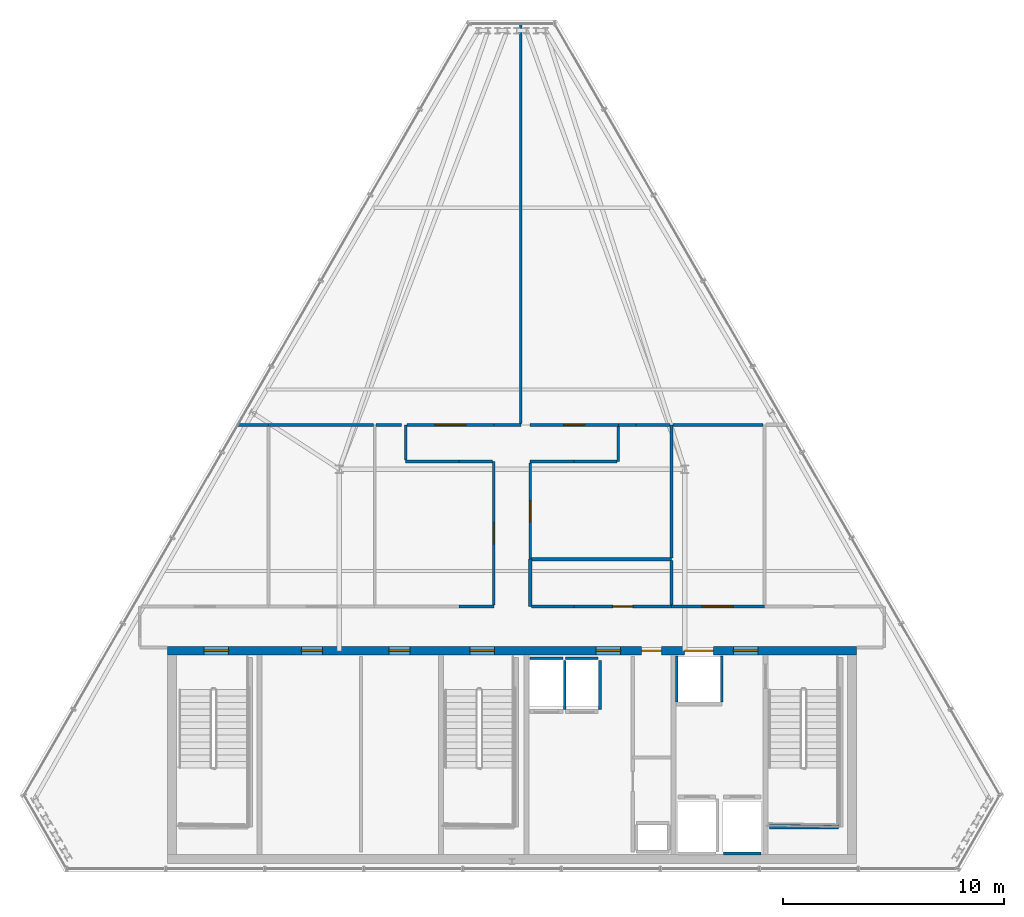
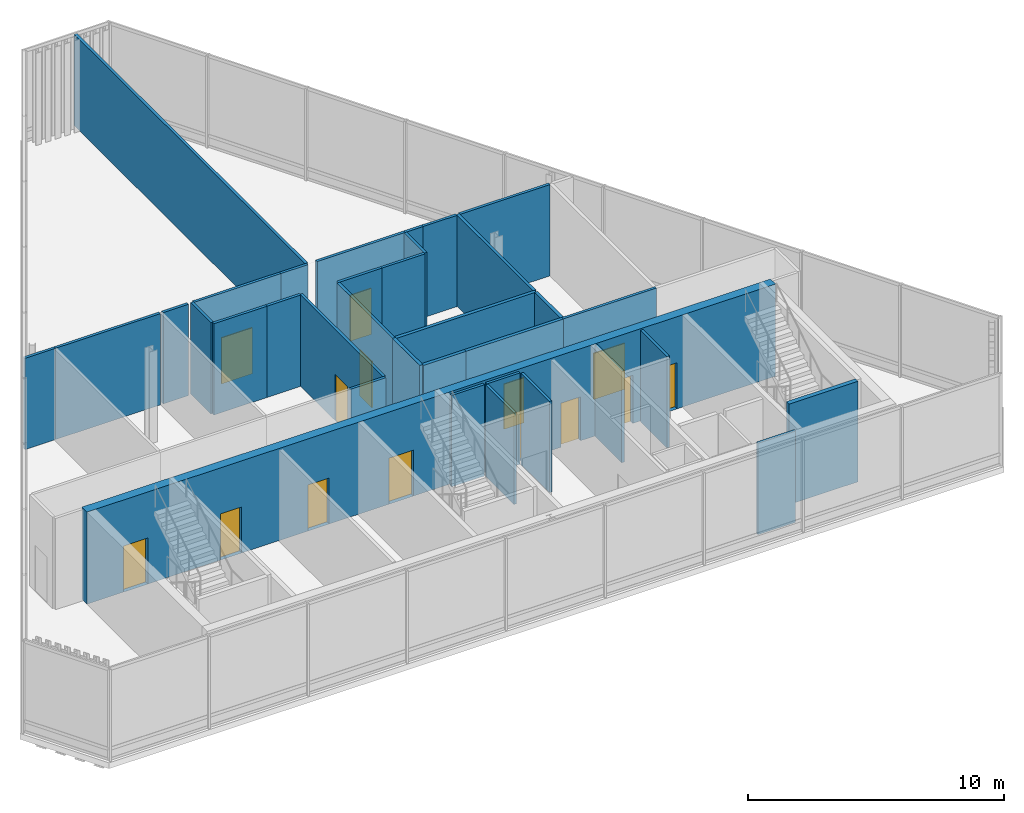
# One storey, part 21 of 25: 35 walls, 14 doors, 14 openings.
"""IFC4 building model written with IfcOpenShell, lengths in metres."""

import ifcopenshell
import ifcopenshell.guid

model = None  # the IFC model being written
_history = None  # IfcOwnerHistory: only IFC2X3 demands one
_inside = {}  # id of a spatial element -> (the spatial element, [elements in it])
_under = {}  # id of a project, library or spatial element -> (it, [spatial elements below it])
_declared = {}  # id of a project -> (the project, [libraries it declares])
_typed = {}  # id of a type object -> (the type object, [elements of that type])
_made_of = {}  # id of a material, layer set ... -> (it, [elements and type objects made of it])


def new_model(schema):
    """Start an empty IFC model of exactly this schema.

    Asked for "IFC4X3", IfcOpenShell would pick the latest addendum, in which some entities
    have other attributes; the version numbers below select the first issue.
    IFC2X3 requires an IfcOwnerHistory on every rooted entity: one is made here for all.
    """
    global model, _history
    if schema == "IFC4X3":
        model = ifcopenshell.file(schema_version=(4, 3, 0, 0))
    else:
        model = ifcopenshell.file(schema=schema)
    _inside.clear()
    _under.clear()
    _declared.clear()
    _typed.clear()
    _made_of.clear()
    _history = None
    if model.schema == "IFC2X3":
        org = make("IfcOrganization", Name="unknown")
        user = make(
            "IfcPersonAndOrganization",
            ThePerson=make("IfcPerson", FamilyName="unknown"),
            TheOrganization=org,
        )
        app = make(
            "IfcApplication",
            ApplicationDeveloper=org,
            Version="unknown",
            ApplicationFullName="unknown",
            ApplicationIdentifier="unknown",
        )
        _history = make(
            "IfcOwnerHistory",
            OwningUser=user,
            OwningApplication=app,
            ChangeAction="ADDED",
            CreationDate=0,
        )
    return model


def make(cls, **values):
    """One entity of the class cls with the attributes given. An attribute that is None is left unset."""
    return model.create_entity(
        cls, **{name: value for name, value in values.items() if value is not None}
    )


def rooted(cls, **values):
    """An entity with a GlobalId (a new one), such as an element, a storey or a relation."""
    return make(cls, GlobalId=ifcopenshell.guid.new(), OwnerHistory=_history, **values)


def si_unit(unit_type, name, prefix=None):
    """IfcSIUnit, for example si_unit("LENGTHUNIT", "METRE", prefix="MILLI")."""
    return make("IfcSIUnit", UnitType=unit_type, Prefix=prefix, Name=name)


def assignment(units):
    """IfcUnitAssignment: the units of a project."""
    return None if units is None else make("IfcUnitAssignment", Units=units)


def point(xyz):
    """IfcCartesianPoint."""
    return None if xyz is None else make("IfcCartesianPoint", Coordinates=xyz)


def direction(xyz):
    """IfcDirection."""
    return None if xyz is None else make("IfcDirection", DirectionRatios=xyz)


def frame(location, z_axis=None, x_axis=None):
    """IfcAxis2Placement3D, a coordinate frame: its origin and axes. An axis left out is left unset."""
    return make(
        "IfcAxis2Placement3D",
        Location=point(location),
        Axis=direction(z_axis),
        RefDirection=direction(x_axis),
    )


def frame_2d(location, x_axis=None):
    """IfcAxis2Placement2D, a coordinate frame in the plane: its origin and x axis."""
    return make(
        "IfcAxis2Placement2D", Location=point(location), RefDirection=direction(x_axis)
    )


def origin():
    """The frame at (0, 0, 0) with its axes left unset."""
    return frame((0.0, 0.0, 0.0))


def place(relative_to, where):
    """IfcLocalPlacement: puts the frame where relative to a parent placement (None: the world)."""
    return make(
        "IfcLocalPlacement", PlacementRelTo=relative_to, RelativePlacement=where
    )


def context(
    kind, dimensions, precision=None, world=None, true_north=None, identifier=None
):
    """IfcGeometricRepresentationContext, for example the 3D "Model" context."""
    return make(
        "IfcGeometricRepresentationContext",
        ContextIdentifier=identifier,
        ContextType=kind,
        CoordinateSpaceDimension=dimensions,
        Precision=precision,
        WorldCoordinateSystem=world,
        TrueNorth=true_north,
    )


def subcontext(parent, identifier, kind, view, scale=None):
    """IfcGeometricRepresentationSubContext, for example "Body" below "Model"."""
    return make(
        "IfcGeometricRepresentationSubContext",
        ContextIdentifier=identifier,
        ContextType=kind,
        ParentContext=parent,
        TargetScale=scale,
        TargetView=view,
    )


def project(units=None, contexts=None):
    """IfcProject with its units and contexts."""
    return rooted(
        "IfcProject",
        Name="project",
        RepresentationContexts=contexts,
        UnitsInContext=assignment(units),
    )


def spatial(cls, under=None, at=None, **own):
    """A site, building, storey or space (cls), placed at a placement, below another one or the project."""
    s = rooted(cls, ObjectPlacement=at, **own)
    if under is not None:
        _under.setdefault(under.id(), (under, []))[1].append(s)
    return s


def profile(cls, at=None, kind="AREA", **sizes):
    """A parametric profile (cls). Its sizes go by their IFC names, for example OverallWidth=200.0."""
    return make(cls, ProfileType=kind, Position=at, **sizes)


def rectangle(**sizes):
    """IfcRectangleProfileDef."""
    return profile("IfcRectangleProfileDef", **sizes)


def extrude(swept, where, along, depth):
    """IfcExtrudedAreaSolid: the profile swept, set in the frame where, extruded along a direction by depth."""
    return make(
        "IfcExtrudedAreaSolid",
        SweptArea=swept,
        Position=where,
        ExtrudedDirection=direction(along),
        Depth=depth,
    )


def shape(context_of_items, identifier, shape_type, items):
    """IfcShapeRepresentation: the items that make up one representation, for example the "Body"."""
    return make(
        "IfcShapeRepresentation",
        ContextOfItems=context_of_items,
        RepresentationIdentifier=identifier,
        RepresentationType=shape_type,
        Items=items,
    )


def material(Name=None, Category=None):
    """IfcMaterial."""
    return make("IfcMaterial", Name=Name, Category=Category)


def layer(
    of_material, thickness, ventilated=None, Name=None, Category=None, Priority=None
):
    """IfcMaterialLayer: one layer of a wall or slab, of a material (None: an air gap)."""
    return make(
        "IfcMaterialLayer",
        Material=of_material,
        LayerThickness=thickness,
        IsVentilated=ventilated,
        Name=Name,
        Category=Category,
        Priority=Priority,
    )


def layer_set(layers, Name=None):
    """IfcMaterialLayerSet."""
    return make("IfcMaterialLayerSet", MaterialLayers=layers, LayerSetName=Name)


def made_of(thing, what):
    """Note that an element or type object is made of a material, layer set ...; save() writes the relation."""
    if what is not None:
        _made_of.setdefault(what.id(), (what, []))[1].append(thing)
    return thing


def type_object(cls, material=None, **own):
    """A type object (cls), such as IfcWallType, which elements share."""
    return made_of(rooted(cls, **own), material)


def element(
    cls,
    number,
    at=None,
    inside=None,
    cuts=None,
    type_object=None,
    material=None,
    context=None,
    identifier="Body",
    shape_type=None,
    held_by="IfcProductDefinitionShape",
    body=None,
    shapes=None,
    **own,
):
    """One element of the class cls, such as IfcWall. Its Tag is "e" and its number.

    at: its placement. inside: the storey or other place that contains it. cuts: it is an
    opening in that element (IfcRelVoidsElement). A single representation is given by context,
    identifier, shape_type and body (its items); several are given by shapes. held_by: the class
    of the entity that holds the representations. save() writes the other relations.
    """
    e = rooted(cls, Tag="e%d" % number, ObjectPlacement=at, **own)
    if body is not None:
        shapes = [shape(context, identifier, shape_type, body)]
    if shapes is not None:
        e.Representation = make(held_by, Representations=shapes)
    if inside is not None:
        _inside.setdefault(inside.id(), (inside, []))[1].append(e)
    if cuts is not None:
        rooted(
            "IfcRelVoidsElement", RelatingBuildingElement=cuts, RelatedOpeningElement=e
        )
    if type_object is not None:
        _typed.setdefault(type_object.id(), (type_object, []))[1].append(e)
    return made_of(e, material)


def fill(opening, filler):
    """IfcRelFillsElement: the door or window that sits in an opening."""
    return rooted(
        "IfcRelFillsElement",
        RelatingOpeningElement=opening,
        RelatedBuildingElement=filler,
    )


def aggregate(whole, parts):
    """IfcRelAggregates: a whole, such as a stair, and the parts it consists of."""
    return rooted("IfcRelAggregates", RelatingObject=whole, RelatedObjects=parts)


def save(model, path):
    """Write the relations noted so far, then the file.

    IfcRelAggregates (storeys below a building ...), IfcRelContainedInSpatialStructure (elements
    in a storey), IfcRelDefinesByType, IfcRelAssociatesMaterial and IfcRelDeclares: one each for
    every whole, place, type object, material and project.
    """
    for whole, parts in _under.values():
        aggregate(whole, parts)
    for where, things in _inside.values():
        rooted(
            "IfcRelContainedInSpatialStructure",
            RelatedElements=things,
            RelatingStructure=where,
        )
    for kind, things in _typed.values():
        rooted("IfcRelDefinesByType", RelatedObjects=things, RelatingType=kind)
    for what, things in _made_of.values():
        rooted("IfcRelAssociatesMaterial", RelatedObjects=things, RelatingMaterial=what)
    for by, libraries in _declared.values():
        rooted("IfcRelDeclares", RelatingContext=by, RelatedDefinitions=libraries)
    model.write(path)


model = new_model("IFC4")

# Units and contexts
model_context = context("Model", 3, precision=1e-05, world=origin(), true_north=direction((0.0, 1.0)))
body_context = subcontext(model_context, "Body", "Model", "MODEL_VIEW")
ifc_project = project(units=[si_unit("LENGTHUNIT", "METRE"), si_unit("AREAUNIT", "SQUARE_METRE"), si_unit("VOLUMEUNIT", "CUBIC_METRE"), si_unit("PLANEANGLEUNIT", "RADIAN"), si_unit("MASSUNIT", "GRAM", prefix="KILO")], contexts=[model_context])

# Site, building, storey
site_placement = place(None, origin())
site = spatial("IfcSite", under=ifc_project, at=site_placement, CompositionType="ELEMENT")
building_placement = place(site_placement, origin())
building = spatial("IfcBuilding", under=site, at=building_placement, Name="Ndaravel Arena Tower", CompositionType="ELEMENT")
storey_placement = place(building_placement, frame((0.0, 0.0, 303.300048828125)))
storey = spatial("IfcBuildingStorey", under=building, at=storey_placement, Name="L74", CompositionType="ELEMENT", Elevation=303.300048828125)

# Wall, openings, doors
ifc_material_1 = material(Name="Concrete C50/60", Category="concrete")
ifc_layer_1 = layer(ifc_material_1, 0.39990234375)
ifc_layer_set_1 = layer_set([ifc_layer_1], Name="Concrete C50/60")
wall_type_1 = type_object("IfcWallType", Name="WALL-CORE-400", PredefinedType="SOLIDWALL", material=ifc_layer_set_1)
wall_1_placement = place(storey_placement, frame((26.449951171875, 15.0, 0.0), z_axis=(0.0, 0.0, 1.0), x_axis=(1.0, 0.0, 0.0)))
wall_1 = element("IfcWall", 1, at=wall_1_placement, inside=storey, type_object=wall_type_1, Name="L74 Core North Shear Wall", PredefinedType="SOLIDWALL", context=body_context, shape_type="SweptSolid", body=[
    extrude(rectangle(XDim=31.10009765625, YDim=0.39990234375, at=frame_2d((15.550048828125, 0.0))), origin(), (0.0, 0.0, 1.0), 4.39990234375),
])
opening_1_placement = place(wall_1_placement, frame((1.64990234375, 0.0, 0.0)))
opening_1 = element("IfcOpeningElement", 2, at=opening_1_placement, cuts=wall_1, Name="Opening FD-01", PredefinedType="OPENING", context=body_context, shape_type="SweptSolid", body=[
    extrude(rectangle(XDim=1.10009765625, YDim=2.199951171875, at=frame_2d((0.550048828125, 1.10009765625))), frame((0.0, 0.199951171875, 0.0), z_axis=(0.0, -1.0, 0.0), x_axis=(1.0, 0.0, 0.0)), (0.0, 0.0, 1.0), 0.39990234375),
])
opening_2_placement = place(wall_1_placement, frame((13.64990234375, 0.0, 0.0)))
opening_2 = element("IfcOpeningElement", 3, at=opening_2_placement, cuts=wall_1, Name="Opening FD-01", PredefinedType="OPENING", context=body_context, shape_type="SweptSolid", body=[
    extrude(rectangle(XDim=1.10009765625, YDim=2.199951171875, at=frame_2d((0.550048828125, 1.10009765625))), frame((0.0, 0.199951171875, 0.0), z_axis=(0.0, -1.0, 0.0), x_axis=(1.0, 0.0, 0.0)), (0.0, 0.0, 1.0), 0.39990234375),
])
opening_3_placement = place(wall_1_placement, frame((25.550048828125, 0.0, 0.0)))
opening_3 = element("IfcOpeningElement", 4, at=opening_3_placement, cuts=wall_1, Name="Opening FD-01", PredefinedType="OPENING", context=body_context, shape_type="SweptSolid", body=[
    extrude(rectangle(XDim=1.10009765625, YDim=2.199951171875, at=frame_2d((0.550048828125, 1.10009765625))), frame((0.0, 0.199951171875, 0.0), z_axis=(0.0, -1.0, 0.0), x_axis=(1.0, 0.0, 0.0)), (0.0, 0.0, 1.0), 0.39990234375),
])
opening_4_placement = place(wall_1_placement, frame((19.35009765625, 0.0, 0.0)))
opening_4 = element("IfcOpeningElement", 5, at=opening_4_placement, cuts=wall_1, Name="Opening FD-01", PredefinedType="OPENING", context=body_context, shape_type="SweptSolid", body=[
    extrude(rectangle(XDim=1.10009765625, YDim=2.199951171875, at=frame_2d((0.550048828125, 1.10009765625))), frame((0.0, 0.199951171875, 0.0), z_axis=(0.0, -1.0, 0.0), x_axis=(1.0, 0.0, 0.0)), (0.0, 0.0, 1.0), 0.39990234375),
])
opening_5_placement = place(wall_1_placement, frame((21.39990234375, 0.0, 0.0)))
opening_5 = element("IfcOpeningElement", 6, at=opening_5_placement, cuts=wall_1, Name="Opening RD-01", PredefinedType="OPENING", context=body_context, shape_type="SweptSolid", body=[
    extrude(rectangle(XDim=0.89990234375, YDim=2.10009765625, at=frame_2d((0.449951171875, 1.050048828125))), frame((0.0, 0.199951171875, 0.0), z_axis=(0.0, -1.0, 0.0), x_axis=(1.0, 0.0, 0.0)), (0.0, 0.0, 1.0), 0.39990234375),
])
opening_6_placement = place(wall_1_placement, frame((6.0400390625, 0.0, 0.0)))
opening_6 = element("IfcOpeningElement", 7, at=opening_6_placement, cuts=wall_1, Name="Opening FD-03", PredefinedType="OPENING", context=body_context, shape_type="SweptSolid", body=[
    extrude(rectangle(XDim=0.949951171875, YDim=2.199951171875, at=frame_2d((0.47509765625, 1.10009765625))), frame((0.0, 0.199951171875, 0.0), z_axis=(0.0, -1.0, 0.0), x_axis=(1.0, 0.0, 0.0)), (0.0, 0.0, 1.0), 0.39990234375),
])
opening_7_placement = place(wall_1_placement, frame((9.989990234375, 0.0, 0.0)))
opening_7 = element("IfcOpeningElement", 8, at=opening_7_placement, cuts=wall_1, Name="Opening FD-03", PredefinedType="OPENING", context=body_context, shape_type="SweptSolid", body=[
    extrude(rectangle(XDim=0.949951171875, YDim=2.199951171875, at=frame_2d((0.47509765625, 1.10009765625))), frame((0.0, 0.199951171875, 0.0), z_axis=(0.0, -1.0, 0.0), x_axis=(1.0, 0.0, 0.0)), (0.0, 0.0, 1.0), 0.39990234375),
])
opening_8_placement = place(wall_1_placement, frame((23.35009765625, 0.0, 0.0)))
opening_8 = element("IfcOpeningElement", 9, at=opening_8_placement, cuts=wall_1, Name="Opening LD-02", PredefinedType="OPENING", context=body_context, shape_type="SweptSolid", body=[
    extrude(rectangle(XDim=1.300048828125, YDim=2.300048828125, at=frame_2d((0.64990234375, 1.14990234375))), frame((0.0, 0.199951171875, 0.0), z_axis=(0.0, -1.0, 0.0), x_axis=(1.0, 0.0, 0.0)), (0.0, 0.0, 1.0), 0.39990234375),
])
ifc_material_2 = material(Name="Steel S355", Category="steel")
door_type_1 = type_object("IfcDoorType", Name="DT-01-STAIR-1100", OperationType="SINGLE_SWING_LEFT", PredefinedType="DOOR", material=ifc_material_2)
door_1_placement = place(opening_1_placement, origin())
door_1 = element("IfcDoor", 10, at=door_1_placement, inside=storey, type_object=door_type_1, Name="L74 Exit Stair ST-1 Door", OperationType="SINGLE_SWING_LEFT", OverallHeight=2.199951171875, OverallWidth=1.10009765625, PredefinedType="DOOR", context=body_context, shape_type="SweptSolid", body=[
    extrude(rectangle(XDim=1.10009765625, YDim=2.199951171875, at=frame_2d((0.550048828125, 1.10009765625))), frame((0.0, 0.02490234375, 0.0), z_axis=(0.0, -1.0, 0.0), x_axis=(1.0, 0.0, 0.0)), (0.0, 0.0, 1.0), 0.050048828125),
])
fill(opening_1, door_1)
door_2_placement = place(opening_2_placement, origin())
door_2 = element("IfcDoor", 11, at=door_2_placement, inside=storey, type_object=door_type_1, Name="L74 Exit Stair ST-2 Door", OperationType="SINGLE_SWING_RIGHT", OverallHeight=2.199951171875, OverallWidth=1.10009765625, PredefinedType="DOOR", context=body_context, shape_type="SweptSolid", body=[
    extrude(rectangle(XDim=1.10009765625, YDim=2.199951171875, at=frame_2d((0.550048828125, 1.10009765625))), frame((0.0, 0.02490234375, 0.0), z_axis=(0.0, -1.0, 0.0), x_axis=(1.0, 0.0, 0.0)), (0.0, 0.0, 1.0), 0.050048828125),
])
fill(opening_2, door_2)
door_3_placement = place(opening_3_placement, origin())
door_3 = element("IfcDoor", 12, at=door_3_placement, inside=storey, type_object=door_type_1, Name="L74 Firefighting Lift Lobby Door", OperationType="SINGLE_SWING_RIGHT", OverallHeight=2.199951171875, OverallWidth=1.10009765625, PredefinedType="DOOR", context=body_context, shape_type="SweptSolid", body=[
    extrude(rectangle(XDim=1.10009765625, YDim=2.199951171875, at=frame_2d((0.550048828125, 1.10009765625))), frame((0.0, 0.02490234375, 0.0), z_axis=(0.0, -1.0, 0.0), x_axis=(1.0, 0.0, 0.0)), (0.0, 0.0, 1.0), 0.050048828125),
])
fill(opening_3, door_3)
door_4_placement = place(opening_4_placement, origin())
door_4 = element("IfcDoor", 13, at=door_4_placement, inside=storey, type_object=door_type_1, Name="L74 Express Lift Lobby Entry Door", OperationType="SINGLE_SWING_LEFT", OverallHeight=2.199951171875, OverallWidth=1.10009765625, PredefinedType="DOOR", context=body_context, shape_type="SweptSolid", body=[
    extrude(rectangle(XDim=1.10009765625, YDim=2.199951171875, at=frame_2d((0.550048828125, 1.10009765625))), frame((0.0, 0.02490234375, 0.0), z_axis=(0.0, -1.0, 0.0), x_axis=(1.0, 0.0, 0.0)), (0.0, 0.0, 1.0), 0.050048828125),
])
fill(opening_4, door_4)
ifc_material_3 = material(Name="Steel S355", Category="steel")
door_type_2 = type_object("IfcDoorType", Name="DT-07-SVLIFT-1300", OperationType="DOUBLE_DOOR_SLIDING", PredefinedType="DOOR", material=ifc_material_3)
door_5_placement = place(opening_8_placement, origin())
door_5 = element("IfcDoor", 14, at=door_5_placement, inside=storey, type_object=door_type_2, Name="L74 Lift SVL-1 Sliding Landing Door", OperationType="DOUBLE_DOOR_SLIDING", OverallHeight=2.300048828125, OverallWidth=1.300048828125, PredefinedType="DOOR", context=body_context, shape_type="SweptSolid", body=[
    extrude(rectangle(XDim=1.300048828125, YDim=2.300048828125, at=frame_2d((0.64990234375, 1.14990234375))), frame((0.0, 0.02490234375, 0.0), z_axis=(0.0, -1.0, 0.0), x_axis=(1.0, 0.0, 0.0)), (0.0, 0.0, 1.0), 0.050048828125),
])
fill(opening_8, door_5)
ifc_material_4 = material(Name="Steel S355", Category="steel")
door_type_3 = type_object("IfcDoorType", Name="DT-08-RISER-900", OperationType="SINGLE_SWING_LEFT", PredefinedType="DOOR", material=ifc_material_4)
door_6_placement = place(opening_5_placement, origin())
door_6 = element("IfcDoor", 15, at=door_6_placement, inside=storey, type_object=door_type_3, Name="L74 Core Service Riser North Door", OperationType="SINGLE_SWING_LEFT", OverallHeight=2.10009765625, OverallWidth=0.89990234375, PredefinedType="DOOR", context=body_context, shape_type="SweptSolid", body=[
    extrude(rectangle(XDim=0.89990234375, YDim=2.10009765625, at=frame_2d((0.449951171875, 1.050048828125))), frame((0.0, 0.02490234375, 0.0), z_axis=(0.0, -1.0, 0.0), x_axis=(1.0, 0.0, 0.0)), (0.0, 0.0, 1.0), 0.050048828125),
])
fill(opening_5, door_6)
ifc_material_5 = material(Name="Steel S355", Category="steel")
door_type_4 = type_object("IfcDoorType", Name="DT-11-CORE-950", OperationType="SINGLE_SWING_LEFT", PredefinedType="DOOR", material=ifc_material_5)
door_7_placement = place(opening_6_placement, origin())
door_7 = element("IfcDoor", 16, at=door_7_placement, inside=storey, type_object=door_type_4, Name="L74 High-Zone Reclaimed Core Room 1 Door", OperationType="SINGLE_SWING_LEFT", OverallHeight=2.199951171875, OverallWidth=0.949951171875, PredefinedType="DOOR", context=body_context, shape_type="SweptSolid", body=[
    extrude(rectangle(XDim=0.949951171875, YDim=2.199951171875, at=frame_2d((0.47509765625, 1.10009765625))), frame((0.0, 0.02490234375, 0.0), z_axis=(0.0, -1.0, 0.0), x_axis=(1.0, 0.0, 0.0)), (0.0, 0.0, 1.0), 0.050048828125),
])
fill(opening_6, door_7)
door_8_placement = place(opening_7_placement, origin())
door_8 = element("IfcDoor", 17, at=door_8_placement, inside=storey, type_object=door_type_4, Name="L74 High-Zone Reclaimed Core Room 2 Door", OperationType="SINGLE_SWING_RIGHT", OverallHeight=2.199951171875, OverallWidth=0.949951171875, PredefinedType="DOOR", context=body_context, shape_type="SweptSolid", body=[
    extrude(rectangle(XDim=0.949951171875, YDim=2.199951171875, at=frame_2d((0.47509765625, 1.10009765625))), frame((0.0, 0.02490234375, 0.0), z_axis=(0.0, -1.0, 0.0), x_axis=(1.0, 0.0, 0.0)), (0.0, 0.0, 1.0), 0.050048828125),
])
fill(opening_7, door_8)

# Wall
ifc_material_6 = material(Name="Gypsum", Category="gypsum")
ifc_layer_2 = layer(ifc_material_6, 0.125)
ifc_layer_set_2 = layer_set([ifc_layer_2], Name="Gypsum")
wall_type_2 = type_object("IfcWallType", Name="WALL-PART-125", PredefinedType="PARTITIONING", material=ifc_layer_set_2)
wall_2_placement = place(storey_placement, frame((39.60009765625, 17.0, 0.0), z_axis=(0.0, 0.0, 1.0), x_axis=(1.0, 0.0, 0.0)))
element("IfcWall", 18, at=wall_2_placement, inside=storey, type_object=wall_type_2, Name="L74 Interior Partition 008", PredefinedType="PARTITIONING", context=body_context, shape_type="SweptSolid", body=[
    extrude(rectangle(XDim=1.579833984375, YDim=0.125, at=frame_2d((0.7900390625, 0.0))), origin(), (0.0, 0.0, 1.0), 4.35986328125),
])

# Wall, opening, door
wall_3_placement = place(storey_placement, frame((41.179931640625, 17.06494140625, 0.0), z_axis=(0.0, 0.0, 1.0), x_axis=(0.0, 1.0, 0.0)))
wall_3 = element("IfcWall", 19, at=wall_3_placement, inside=storey, type_object=wall_type_2, Name="L74 Interior Partition 009", PredefinedType="PARTITIONING", context=body_context, shape_type="SweptSolid", body=[
    extrude(rectangle(XDim=6.485107421875, YDim=0.125, at=frame_2d((3.24267578125, 0.0))), origin(), (0.0, 0.0, 1.0), 4.35986328125),
])
opening_9_placement = place(wall_3_placement, frame((2.767578125, 0.0, 0.0)))
opening_9 = element("IfcOpeningElement", 20, at=opening_9_placement, cuts=wall_3, Name="Opening ID-01", PredefinedType="OPENING", context=body_context, shape_type="SweptSolid", body=[
    extrude(rectangle(XDim=0.949951171875, YDim=2.199951171875, at=frame_2d((0.47509765625, 1.10009765625))), frame((0.0, 0.0625, 0.0), z_axis=(0.0, -1.0, 0.0), x_axis=(1.0, 0.0, 0.0)), (0.0, 0.0, 1.0), 0.125),
])
ifc_material_7 = material(Name="Timber", Category="wood")
door_type_5 = type_object("IfcDoorType", Name="DT-03-OFFICE-950", OperationType="SINGLE_SWING_LEFT", PredefinedType="DOOR", material=ifc_material_7)
door_9_placement = place(opening_9_placement, origin())
door_9 = element("IfcDoor", 21, at=door_9_placement, inside=storey, type_object=door_type_5, Name="L74 Summit Operations Office Door", OperationType="SINGLE_SWING_RIGHT", OverallHeight=2.199951171875, OverallWidth=0.949951171875, PredefinedType="DOOR", context=body_context, shape_type="SweptSolid", body=[
    extrude(rectangle(XDim=0.949951171875, YDim=2.199951171875, at=frame_2d((0.47509765625, 1.10009765625))), frame((0.0, 0.02490234375, 0.0), z_axis=(0.0, -1.0, 0.0), x_axis=(1.0, 0.0, 0.0)), (0.0, 0.0, 1.0), 0.050048828125),
])
fill(opening_9, door_9)

# Walls
wall_4_placement = place(storey_placement, frame((41.114990234375, 23.550048828125, 0.0), z_axis=(0.0, 0.0, 1.0), x_axis=(-1.0, 0.0, 0.0)))
element("IfcWall", 22, at=wall_4_placement, inside=storey, type_object=wall_type_2, Name="L74 Interior Partition 010", PredefinedType="PARTITIONING", context=body_context, shape_type="SweptSolid", body=[
    extrude(rectangle(XDim=1.514892578125, YDim=0.125, at=frame_2d((0.75732421875, 0.0))), origin(), (0.0, 0.0, 1.0), 4.35986328125),
])
wall_5_placement = place(storey_placement, frame((39.60009765625, 23.550048828125, 0.0), z_axis=(0.0, 0.0, 1.0), x_axis=(-1.0, 0.0, 0.0)))
element("IfcWall", 23, at=wall_5_placement, inside=storey, type_object=wall_type_2, Name="L74 Interior Partition 011", PredefinedType="PARTITIONING", context=body_context, shape_type="SweptSolid", body=[
    extrude(rectangle(XDim=2.400146484375, YDim=0.125, at=frame_2d((1.2001953125, 0.0))), origin(), (0.0, 0.0, 1.0), 4.35986328125),
])
wall_6_placement = place(storey_placement, frame((37.199951171875, 23.614990234375, 0.0), z_axis=(0.0, 0.0, 1.0), x_axis=(0.0, 1.0, 0.0)))
element("IfcWall", 24, at=wall_6_placement, inside=storey, type_object=wall_type_2, Name="L74 Interior Partition 012", PredefinedType="PARTITIONING", context=body_context, shape_type="SweptSolid", body=[
    extrude(rectangle(XDim=1.5849609375, YDim=0.125, at=frame_2d((0.79248046875, 0.0))), origin(), (0.0, 0.0, 1.0), 4.35986328125),
])

# Wall, opening, door
wall_7_placement = place(storey_placement, frame((37.264892578125, 25.199951171875, 0.0), z_axis=(0.0, 0.0, 1.0), x_axis=(1.0, 0.0, 0.0)))
wall_7 = element("IfcWall", 25, at=wall_7_placement, inside=storey, type_object=wall_type_2, Name="L74 Interior Partition 013", PredefinedType="PARTITIONING", context=body_context, shape_type="SweptSolid", body=[
    extrude(rectangle(XDim=3.9150390625, YDim=0.125, at=frame_2d((1.95751953125, 0.0))), origin(), (0.0, 0.0, 1.0), 4.35986328125),
])
opening_10_placement = place(wall_7_placement, frame((1.257568359375, 0.0, 0.0)))
opening_10 = element("IfcOpeningElement", 26, at=opening_10_placement, cuts=wall_7, Name="Opening ID-02", PredefinedType="OPENING", context=body_context, shape_type="SweptSolid", body=[
    extrude(rectangle(XDim=1.39990234375, YDim=2.199951171875, at=frame_2d((0.699951171875, 1.10009765625))), frame((0.0, 0.0625, 0.0), z_axis=(0.0, -1.0, 0.0), x_axis=(1.0, 0.0, 0.0)), (0.0, 0.0, 1.0), 0.125),
])
ifc_material_8 = material(Name="Timber", Category="wood")
door_type_6 = type_object("IfcDoorType", Name="DT-04-SUITE-1400", OperationType="DOUBLE_DOOR_SINGLE_SWING", PredefinedType="DOOR", material=ifc_material_8)
door_10_placement = place(opening_10_placement, origin())
door_10 = element("IfcDoor", 27, at=door_10_placement, inside=storey, type_object=door_type_6, Name="L74 Summit Panoramic Viewing Gallery 4 Door", OperationType="SINGLE_SWING_LEFT", OverallHeight=2.199951171875, OverallWidth=1.39990234375, PredefinedType="DOOR", context=body_context, shape_type="SweptSolid", body=[
    extrude(rectangle(XDim=1.39990234375, YDim=2.199951171875, at=frame_2d((0.699951171875, 1.10009765625))), frame((0.0, 0.02490234375, 0.0), z_axis=(0.0, -1.0, 0.0), x_axis=(1.0, 0.0, 0.0)), (0.0, 0.0, 1.0), 0.050048828125),
])
fill(opening_10, door_10)

# Wall
wall_8_placement = place(storey_placement, frame((41.179931640625, 25.199951171875, 0.0), z_axis=(0.0, 0.0, 1.0), x_axis=(1.0, 0.0, 0.0)))
element("IfcWall", 28, at=wall_8_placement, inside=storey, type_object=wall_type_2, Name="L74 Interior Partition 014", PredefinedType="PARTITIONING", context=body_context, shape_type="SweptSolid", body=[
    extrude(rectangle(XDim=1.219970703125, YDim=0.125, at=frame_2d((0.60986328125, 0.0))), origin(), (0.0, 0.0, 1.0), 4.35986328125),
])

# Wall, opening, door
wall_9_placement = place(storey_placement, frame((42.820068359375, 25.199951171875, 0.0), z_axis=(0.0, 0.0, 1.0), x_axis=(1.0, 0.0, 0.0)))
wall_9 = element("IfcWall", 29, at=wall_9_placement, inside=storey, type_object=wall_type_2, Name="L74 Interior Partition 015", PredefinedType="PARTITIONING", context=body_context, shape_type="SweptSolid", body=[
    extrude(rectangle(XDim=3.97998046875, YDim=0.125, at=frame_2d((1.989990234375, 0.0))), origin(), (0.0, 0.0, 1.0), 4.35986328125),
])
opening_11_placement = place(wall_9_placement, frame((1.514892578125, 0.0, 0.0)))
opening_11 = element("IfcOpeningElement", 30, at=opening_11_placement, cuts=wall_9, Name="Opening ID-01", PredefinedType="OPENING", context=body_context, shape_type="SweptSolid", body=[
    extrude(rectangle(XDim=0.949951171875, YDim=2.199951171875, at=frame_2d((0.47509765625, 1.10009765625))), frame((0.0, 0.0625, 0.0), z_axis=(0.0, -1.0, 0.0), x_axis=(1.0, 0.0, 0.0)), (0.0, 0.0, 1.0), 0.125),
])
door_11_placement = place(opening_11_placement, origin())
door_11 = element("IfcDoor", 31, at=door_11_placement, inside=storey, type_object=door_type_5, Name="L74 Horizon Refreshment Kiosk 3 Door", OperationType="SINGLE_SWING_RIGHT", OverallHeight=2.199951171875, OverallWidth=0.949951171875, PredefinedType="DOOR", context=body_context, shape_type="SweptSolid", body=[
    extrude(rectangle(XDim=0.949951171875, YDim=2.199951171875, at=frame_2d((0.47509765625, 1.10009765625))), frame((0.0, 0.02490234375, 0.0), z_axis=(0.0, -1.0, 0.0), x_axis=(1.0, 0.0, 0.0)), (0.0, 0.0, 1.0), 0.050048828125),
])
fill(opening_11, door_11)

# Walls
wall_10_placement = place(storey_placement, frame((46.800048828125, 25.135009765625, 0.0), z_axis=(0.0, 0.0, 1.0), x_axis=(0.0, -1.0, 0.0)))
element("IfcWall", 32, at=wall_10_placement, inside=storey, type_object=wall_type_2, Name="L74 Interior Partition 016", PredefinedType="PARTITIONING", context=body_context, shape_type="SweptSolid", body=[
    extrude(rectangle(XDim=1.5849609375, YDim=0.125, at=frame_2d((0.79248046875, 0.0))), origin(), (0.0, 0.0, 1.0), 4.35986328125),
])
wall_11_placement = place(storey_placement, frame((46.735107421875, 23.550048828125, 0.0), z_axis=(0.0, 0.0, 1.0), x_axis=(-1.0, 0.0, 0.0)))
element("IfcWall", 33, at=wall_11_placement, inside=storey, type_object=wall_type_2, Name="L74 Interior Partition 017", PredefinedType="PARTITIONING", context=body_context, shape_type="SweptSolid", body=[
    extrude(rectangle(XDim=1.93505859375, YDim=0.125, at=frame_2d((0.967529296875, 0.0))), origin(), (0.0, 0.0, 1.0), 4.35986328125),
])
wall_12_placement = place(storey_placement, frame((44.800048828125, 23.550048828125, 0.0), z_axis=(0.0, 0.0, 1.0), x_axis=(-1.0, 0.0, 0.0)))
element("IfcWall", 34, at=wall_12_placement, inside=storey, type_object=wall_type_2, Name="L74 Interior Partition 018", PredefinedType="PARTITIONING", context=body_context, shape_type="SweptSolid", body=[
    extrude(rectangle(XDim=1.97998046875, YDim=0.125, at=frame_2d((0.989990234375, 0.0))), origin(), (0.0, 0.0, 1.0), 4.35986328125),
])

# Wall, opening, door
wall_13_placement = place(storey_placement, frame((42.820068359375, 23.485107421875, 0.0), z_axis=(0.0, 0.0, 1.0), x_axis=(0.0, -1.0, 0.0)))
wall_13 = element("IfcWall", 35, at=wall_13_placement, inside=storey, type_object=wall_type_2, Name="L74 Interior Partition 019", PredefinedType="PARTITIONING", context=body_context, shape_type="SweptSolid", body=[
    extrude(rectangle(XDim=4.35302734375, YDim=0.125, at=frame_2d((2.176513671875, 0.0))), origin(), (0.0, 0.0, 1.0), 4.35986328125),
])
opening_12_placement = place(wall_13_placement, frame((1.701416015625, 0.0, 0.0)))
opening_12 = element("IfcOpeningElement", 36, at=opening_12_placement, cuts=wall_13, Name="Opening ID-01", PredefinedType="OPENING", context=body_context, shape_type="SweptSolid", body=[
    extrude(rectangle(XDim=0.949951171875, YDim=2.199951171875, at=frame_2d((0.47509765625, 1.10009765625))), frame((0.0, 0.0625, 0.0), z_axis=(0.0, -1.0, 0.0), x_axis=(1.0, 0.0, 0.0)), (0.0, 0.0, 1.0), 0.125),
])
door_12_placement = place(opening_12_placement, origin())
door_12 = element("IfcDoor", 37, at=door_12_placement, inside=storey, type_object=door_type_5, Name="L74 Summit Gift & Bookshop Boutique 2 Door", OperationType="SINGLE_SWING_LEFT", OverallHeight=2.199951171875, OverallWidth=0.949951171875, PredefinedType="DOOR", context=body_context, shape_type="SweptSolid", body=[
    extrude(rectangle(XDim=0.949951171875, YDim=2.199951171875, at=frame_2d((0.47509765625, 1.10009765625))), frame((0.0, 0.02490234375, 0.0), z_axis=(0.0, -1.0, 0.0), x_axis=(1.0, 0.0, 0.0)), (0.0, 0.0, 1.0), 0.050048828125),
])
fill(opening_12, door_12)

wall_14_placement = place(storey_placement, frame((49.199951171875, 17.0, 0.0), z_axis=(0.0, 0.0, 1.0), x_axis=(1.0, 0.0, 0.0)))
wall_14 = element("IfcWall", 38, at=wall_14_placement, inside=storey, type_object=wall_type_2, Name="L74 Interior Partition 023", PredefinedType="PARTITIONING", context=body_context, shape_type="SweptSolid", body=[
    extrude(rectangle(XDim=4.199951171875, YDim=0.125, at=frame_2d((2.10009765625, 0.0))), origin(), (0.0, 0.0, 1.0), 4.35986328125),
])
opening_13_placement = place(wall_14_placement, frame((1.39990234375, 0.0, 0.0)))
opening_13 = element("IfcOpeningElement", 39, at=opening_13_placement, cuts=wall_14, Name="Opening ID-02", PredefinedType="OPENING", context=body_context, shape_type="SweptSolid", body=[
    extrude(rectangle(XDim=1.39990234375, YDim=2.199951171875, at=frame_2d((0.699951171875, 1.10009765625))), frame((0.0, 0.0625, 0.0), z_axis=(0.0, -1.0, 0.0), x_axis=(1.0, 0.0, 0.0)), (0.0, 0.0, 1.0), 0.125),
])
door_13_placement = place(opening_13_placement, origin())
door_13 = element("IfcDoor", 40, at=door_13_placement, inside=storey, type_object=door_type_6, Name="L74 Public Sky Observation Deck Gallery 3 Door", OperationType="SINGLE_SWING_RIGHT", OverallHeight=2.199951171875, OverallWidth=1.39990234375, PredefinedType="DOOR", context=body_context, shape_type="SweptSolid", body=[
    extrude(rectangle(XDim=1.39990234375, YDim=2.199951171875, at=frame_2d((0.699951171875, 1.10009765625))), frame((0.0, 0.02490234375, 0.0), z_axis=(0.0, -1.0, 0.0), x_axis=(1.0, 0.0, 0.0)), (0.0, 0.0, 1.0), 0.050048828125),
])
fill(opening_13, door_13)

# Walls
wall_15_placement = place(storey_placement, frame((29.615478515625, 25.199951171875, 0.0), z_axis=(0.0, 0.0, 1.0), x_axis=(1.0, 0.0, 0.0)))
element("IfcWall", 41, at=wall_15_placement, inside=storey, type_object=wall_type_2, Name="L74 Interior Partition 029", PredefinedType="PARTITIONING", context=body_context, shape_type="SweptSolid", body=[
    extrude(rectangle(XDim=1.384521484375, YDim=0.125, at=frame_2d((0.6923828125, 0.0))), origin(), (0.0, 0.0, 1.0), 4.35986328125),
])
wall_16_placement = place(storey_placement, frame((35.864990234375, 25.199951171875, 0.0), z_axis=(0.0, 0.0, 1.0), x_axis=(1.0, 0.0, 0.0)))
element("IfcWall", 42, at=wall_16_placement, inside=storey, type_object=wall_type_2, Name="L74 Interior Partition 032", PredefinedType="PARTITIONING", context=body_context, shape_type="SweptSolid", body=[
    extrude(rectangle(XDim=1.135009765625, YDim=0.125, at=frame_2d((0.5673828125, 0.0))), origin(), (0.0, 0.0, 1.0), 4.35986328125),
])
wall_17_placement = place(storey_placement, frame((31.0, 25.199951171875, 0.0), z_axis=(0.0, 0.0, 1.0), x_axis=(1.0, 0.0, 0.0)))
element("IfcWall", 43, at=wall_17_placement, inside=storey, type_object=wall_type_2, Name="L74 Interior Partition 033", PredefinedType="PARTITIONING", context=body_context, shape_type="SweptSolid", body=[
    extrude(rectangle(XDim=4.735107421875, YDim=0.125, at=frame_2d((2.36767578125, 0.0))), origin(), (0.0, 0.0, 1.0), 4.35986328125),
])
wall_18_placement = place(storey_placement, frame((49.199951171875, 19.197021484375, 0.0), z_axis=(0.0, 0.0, 1.0), x_axis=(0.0, 1.0, 0.0)))
element("IfcWall", 44, at=wall_18_placement, inside=storey, type_object=wall_type_2, Name="L74 Interior Partition 034", PredefinedType="PARTITIONING", context=body_context, shape_type="SweptSolid", body=[
    extrude(rectangle(XDim=6.0029296875, YDim=0.125, at=frame_2d((3.00146484375, 0.0))), origin(), (0.0, 0.0, 1.0), 4.35986328125),
])
wall_19_placement = place(storey_placement, frame((49.264892578125, 25.199951171875, 0.0), z_axis=(0.0, 0.0, 1.0), x_axis=(1.0, 0.0, 0.0)))
element("IfcWall", 45, at=wall_19_placement, inside=storey, type_object=wall_type_2, Name="L74 Interior Partition 035", PredefinedType="PARTITIONING", context=body_context, shape_type="SweptSolid", body=[
    extrude(rectangle(XDim=4.070068359375, YDim=0.125, at=frame_2d((2.03515625, 0.0))), origin(), (0.0, 0.0, 1.0), 4.35986328125),
])
wall_20_placement = place(storey_placement, frame((46.800048828125, 25.199951171875, 0.0), z_axis=(0.0, 0.0, 1.0), x_axis=(1.0, 0.0, 0.0)))
element("IfcWall", 46, at=wall_20_placement, inside=storey, type_object=wall_type_2, Name="L74 Interior Partition 036", PredefinedType="PARTITIONING", context=body_context, shape_type="SweptSolid", body=[
    extrude(rectangle(XDim=0.800048828125, YDim=0.125, at=frame_2d((0.39990234375, 0.0))), origin(), (0.0, 0.0, 1.0), 4.35986328125),
])
wall_21_placement = place(storey_placement, frame((47.60009765625, 25.199951171875, 0.0), z_axis=(0.0, 0.0, 1.0), x_axis=(1.0, 0.0, 0.0)))
element("IfcWall", 47, at=wall_21_placement, inside=storey, type_object=wall_type_2, Name="L74 Interior Partition 037", PredefinedType="PARTITIONING", context=body_context, shape_type="SweptSolid", body=[
    extrude(rectangle(XDim=1.534912109375, YDim=0.125, at=frame_2d((0.767578125, 0.0))), origin(), (0.0, 0.0, 1.0), 4.35986328125),
])
wall_22_placement = place(storey_placement, frame((42.39990234375, 25.264892578125, 0.0), z_axis=(0.0, 0.0, 1.0), x_axis=(0.0, 1.0, 0.0)))
element("IfcWall", 48, at=wall_22_placement, inside=storey, type_object=wall_type_2, Name="L74 Interior Partition 038", PredefinedType="PARTITIONING", context=body_context, shape_type="SweptSolid", body=[
    extrude(rectangle(XDim=18.060546875, YDim=0.125, at=frame_2d((9.0302734375, 0.0))), origin(), (0.0, 0.0, 1.0), 4.35986328125),
])
ifc_material_9 = material(Name="Concrete C40/50", Category="concrete")
ifc_layer_3 = layer(ifc_material_9, 0.1201171875)
ifc_layer_set_3 = layer_set([ifc_layer_3], Name="Concrete C40/50")
wall_type_3 = type_object("IfcWallType", Name="WALL-SHAFT-120", PredefinedType="SOLIDWALL", material=ifc_layer_set_3)
wall_23_placement = place(storey_placement, frame((42.804931640625, 14.659912109375, 0.0), z_axis=(0.0, 0.0, 1.0), x_axis=(1.0, 0.0, 0.0)))
element("IfcWall", 49, at=wall_23_placement, inside=storey, type_object=wall_type_3, Name="L74 PL-OBS1 Shaft Rear Wall", PredefinedType="SOLIDWALL", context=body_context, shape_type="SweptSolid", body=[
    extrude(rectangle(XDim=1.489990234375, YDim=0.1201171875, at=frame_2d((0.7451171875, 0.0))), origin(), (0.0, 0.0, 1.0), 4.35986328125),
])
wall_24_placement = place(storey_placement, frame((44.375, 12.340087890625, 0.0), z_axis=(0.0, 0.0, 1.0), x_axis=(0.0, 1.0, 0.0)))
element("IfcWall", 50, at=wall_24_placement, inside=storey, type_object=wall_type_3, Name="L74 PL-OBS1 Shaft Side R Wall", PredefinedType="SOLIDWALL", context=body_context, shape_type="SweptSolid", body=[
    extrude(rectangle(XDim=2.22998046875, YDim=0.1201171875, at=frame_2d((1.114990234375, 0.0))), origin(), (0.0, 0.0, 1.0), 4.35986328125),
])
wall_25_placement = place(storey_placement, frame((44.405029296875, 14.659912109375, 0.0), z_axis=(0.0, 0.0, 1.0), x_axis=(1.0, 0.0, 0.0)))
element("IfcWall", 51, at=wall_25_placement, inside=storey, type_object=wall_type_3, Name="L74 PL-OBS2 Shaft Rear Wall", PredefinedType="SOLIDWALL", context=body_context, shape_type="SweptSolid", body=[
    extrude(rectangle(XDim=1.489990234375, YDim=0.1201171875, at=frame_2d((0.7451171875, 0.0))), origin(), (0.0, 0.0, 1.0), 4.35986328125),
])
wall_26_placement = place(storey_placement, frame((45.97509765625, 12.340087890625, 0.0), z_axis=(0.0, 0.0, 1.0), x_axis=(0.0, 1.0, 0.0)))
element("IfcWall", 52, at=wall_26_placement, inside=storey, type_object=wall_type_3, Name="L74 PL-OBS2 Shaft Side R Wall", PredefinedType="SOLIDWALL", context=body_context, shape_type="SweptSolid", body=[
    extrude(rectangle(XDim=2.22998046875, YDim=0.1201171875, at=frame_2d((1.114990234375, 0.0))), origin(), (0.0, 0.0, 1.0), 4.35986328125),
])
wall_27_placement = place(storey_placement, frame((51.554931640625, 5.840087890625, 0.0), z_axis=(0.0, 0.0, 1.0), x_axis=(1.0, 0.0, 0.0)))
element("IfcWall", 53, at=wall_27_placement, inside=storey, type_object=wall_type_3, Name="L74 FFL-2 Shaft Rear Wall", PredefinedType="SOLIDWALL", context=body_context, shape_type="SweptSolid", body=[
    extrude(rectangle(XDim=1.690185546875, YDim=0.1201171875, at=frame_2d((0.84521484375, 0.0))), origin(), (0.0, 0.0, 1.0), 4.35986328125),
])
for number, where, z_axis, x_axis, name in (
    (54, (49.43994140625, 12.68994140625, 0.0), (0.0, 0.0, 1.0), (0.0, 1.0, 0.0), "L74 SVL-1 Shaft W Wall"),
    (55, (51.47998046875, 12.68994140625, 0.0), (0.0, 0.0, 1.0), (0.0, 1.0, 0.0), "L74 SVL-1 Shaft E Wall"),
):
    element("IfcWall", number, at=place(storey_placement, frame(where, z_axis=z_axis, x_axis=x_axis)), inside=storey, type_object=wall_type_3, Name=name, PredefinedType="SOLIDWALL", context=body_context, shape_type="SweptSolid", body=[
        extrude(rectangle(XDim=2.070068359375, YDim=0.1201171875, at=frame_2d((1.03515625, 0.0))), origin(), (0.0, 0.0, 1.0), 4.35986328125),
    ])
ifc_material_10 = material(Name="Concrete C40/50", Category="concrete")
ifc_layer_4 = layer(ifc_material_10, 0.199951171875)
ifc_layer_set_4 = layer_set([ifc_layer_4], Name="Concrete C40/50")
wall_type_4 = type_object("IfcWallType", Name="WALL-SHAFT-200", PredefinedType="SOLIDWALL", material=ifc_layer_set_4)
wall_28_placement = place(storey_placement, frame((53.6201171875, 7.050048828125, 0.0), z_axis=(0.0, 0.0, 1.0), x_axis=(1.0, 0.0, 0.0)))
element("IfcWall", 56, at=wall_28_placement, inside=storey, type_object=wall_type_4, Name="L74 ST-3 Structural Shaft Wall Far", PredefinedType="SOLIDWALL", context=body_context, shape_type="SweptSolid", body=[
    extrude(rectangle(XDim=3.114990234375, YDim=0.199951171875, at=frame_2d((1.5576171875, 0.0))), origin(), (0.0, 0.0, 1.0), 4.800048828125),
])
ifc_material_11 = material(Name="Masonry", Category="masonry")
ifc_layer_5 = layer(ifc_material_11, 0.14990234375)
ifc_layer_set_5 = layer_set([ifc_layer_5], Name="Masonry")
wall_type_5 = type_object("IfcWallType", Name="WALL-WET-150", PredefinedType="PARTITIONING", material=ifc_layer_set_5)
wall_29_placement = place(storey_placement, frame((42.820068359375, 19.132080078125, 0.0), z_axis=(0.0, 0.0, 1.0), x_axis=(0.0, -1.0, 0.0)))
element("IfcWall", 57, at=wall_29_placement, inside=storey, type_object=wall_type_5, Name="L74 Interior Partition 020", PredefinedType="PARTITIONING", context=body_context, shape_type="SweptSolid", body=[
    extrude(rectangle(XDim=2.132080078125, YDim=0.14990234375, at=frame_2d((1.06591796875, 0.0))), origin(), (0.0, 0.0, 1.0), 4.35986328125),
])
wall_30_placement = place(storey_placement, frame((42.885009765625, 17.0, 0.0), z_axis=(0.0, 0.0, 1.0), x_axis=(1.0, 0.0, 0.0)))
element("IfcWall", 58, at=wall_30_placement, inside=storey, type_object=wall_type_5, Name="L74 Interior Partition 021", PredefinedType="PARTITIONING", context=body_context, shape_type="SweptSolid", body=[
    extrude(rectangle(XDim=1.9150390625, YDim=0.14990234375, at=frame_2d((0.95751953125, 0.0))), origin(), (0.0, 0.0, 1.0), 4.35986328125),
])

# Wall, opening, door
wall_31_placement = place(storey_placement, frame((44.800048828125, 17.0, 0.0), z_axis=(0.0, 0.0, 1.0), x_axis=(1.0, 0.0, 0.0)))
wall_31 = element("IfcWall", 59, at=wall_31_placement, inside=storey, type_object=wall_type_5, Name="L74 Interior Partition 022", PredefinedType="PARTITIONING", context=body_context, shape_type="SweptSolid", body=[
    extrude(rectangle(XDim=4.39990234375, YDim=0.14990234375, at=frame_2d((2.199951171875, 0.0))), origin(), (0.0, 0.0, 1.0), 4.35986328125),
])
opening_14_placement = place(wall_31_placement, frame((1.75, 0.0, 0.0)))
opening_14 = element("IfcOpeningElement", 60, at=opening_14_placement, cuts=wall_31, Name="Opening WD-01", PredefinedType="OPENING", context=body_context, shape_type="SweptSolid", body=[
    extrude(rectangle(XDim=0.89990234375, YDim=2.14990234375, at=frame_2d((0.449951171875, 1.074951171875))), frame((0.0, 0.074951171875, 0.0), z_axis=(0.0, -1.0, 0.0), x_axis=(1.0, 0.0, 0.0)), (0.0, 0.0, 1.0), 0.14990234375),
])
ifc_material_12 = material(Name="Timber", Category="wood")
door_type_7 = type_object("IfcDoorType", Name="DT-05-WC-900", OperationType="SINGLE_SWING_LEFT", PredefinedType="DOOR", material=ifc_material_12)
door_14_placement = place(opening_14_placement, origin())
door_14 = element("IfcDoor", 61, at=door_14_placement, inside=storey, type_object=door_type_7, Name="L74 Male Staff & Visitor Restroom Door", OperationType="SINGLE_SWING_LEFT", OverallHeight=2.14990234375, OverallWidth=0.89990234375, PredefinedType="DOOR", context=body_context, shape_type="SweptSolid", body=[
    extrude(rectangle(XDim=0.89990234375, YDim=2.14990234375, at=frame_2d((0.449951171875, 1.074951171875))), frame((0.0, 0.02490234375, 0.0), z_axis=(0.0, -1.0, 0.0), x_axis=(1.0, 0.0, 0.0)), (0.0, 0.0, 1.0), 0.050048828125),
])
fill(opening_14, door_14)

# Walls
wall_32_placement = place(storey_placement, frame((42.885009765625, 19.132080078125, 0.0), z_axis=(0.0, 0.0, 1.0), x_axis=(1.0, 0.0, 0.0)))
element("IfcWall", 62, at=wall_32_placement, inside=storey, type_object=wall_type_5, Name="L74 Interior Partition 025", PredefinedType="PARTITIONING", context=body_context, shape_type="SweptSolid", body=[
    extrude(rectangle(XDim=6.31494140625, YDim=0.14990234375, at=frame_2d((3.157470703125, 0.0))), origin(), (0.0, 0.0, 1.0), 4.35986328125),
])
wall_33_placement = place(storey_placement, frame((49.199951171875, 19.06689453125, 0.0), z_axis=(0.0, 0.0, 1.0), x_axis=(0.0, -1.0, 0.0)))
element("IfcWall", 63, at=wall_33_placement, inside=storey, type_object=wall_type_5, Name="L74 Interior Partition 026", PredefinedType="PARTITIONING", context=body_context, shape_type="SweptSolid", body=[
    extrude(rectangle(XDim=2.001953125, YDim=0.14990234375, at=frame_2d((1.0009765625, 0.0))), origin(), (0.0, 0.0, 1.0), 4.35986328125),
])

save(model, "model.ifc")
